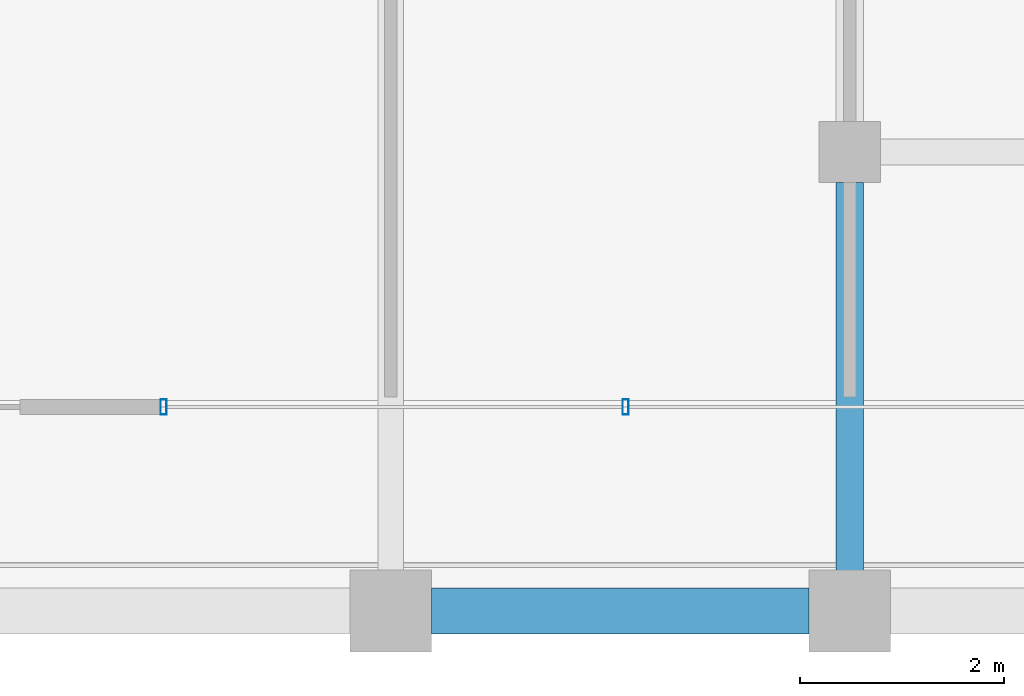
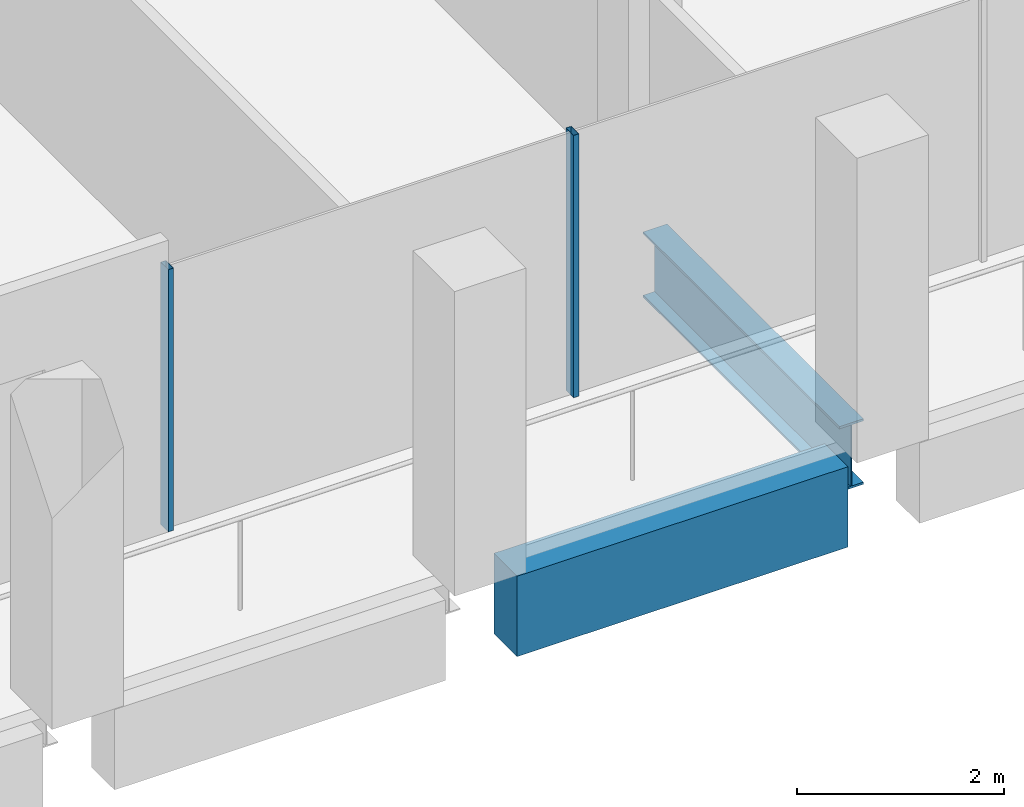
# One storey, part 9 of 40: 2 beams, 2 members, 1 element without a shape of its own.
"""IFC4 building model written with IfcOpenShell, lengths in metres."""

from ifc_helpers import new_model, si_unit, direction, frame, origin, origin_2d, place, context, subcontext, project, spatial, rectangle, hollow_rectangle, i_section, extrude, material, material_profile, profile_set, type_object, element, aggregate, save


model = new_model("IFC4")

# Units and contexts
model_context = context("Model", 3, precision=1e-05, world=origin(), true_north=direction((0.0, 1.0)))
body_context = subcontext(model_context, "Body", "Model", "MODEL_VIEW")
ifc_project = project(units=[si_unit("LENGTHUNIT", "METRE"), si_unit("AREAUNIT", "SQUARE_METRE"), si_unit("VOLUMEUNIT", "CUBIC_METRE"), si_unit("PLANEANGLEUNIT", "RADIAN"), si_unit("MASSUNIT", "GRAM", prefix="KILO")], contexts=[model_context])

# Site, building, storey
site_placement = place(None, origin())
site = spatial("IfcSite", under=ifc_project, at=site_placement, CompositionType="ELEMENT")
building_placement = place(site_placement, origin())
building = spatial("IfcBuilding", under=site, at=building_placement, Name="Altepetl Exchange Towers", CompositionType="ELEMENT")
storey_placement = place(building_placement, frame((0.0, 0.0, 202.800048828125)))
storey = spatial("IfcBuildingStorey", under=building, at=storey_placement, Name="L51", CompositionType="ELEMENT", Elevation=202.800048828125)

# Beam
ifc_material_1 = material(Name="Steel S355", Category="steel")
ifc_material_profile_1 = material_profile(ifc_material_1, i_section(OverallWidth=0.26806640625, OverallDepth=0.77392578125, WebThickness=0.015380859375, FlangeThickness=0.025390625, at=origin_2d()), Name="W30X132")
ifc_profile_set_1 = profile_set([ifc_material_profile_1], Name="Steel S355")
beam_type_1 = type_object("IfcBeamType", Name="Girder W30X132", PredefinedType="BEAM", material=ifc_profile_set_1)
beam_1_placement = place(storey_placement, frame((58.5, 31.199951171875, -0.537109375), z_axis=(0.0, -1.0, 0.0), x_axis=(1.0, 0.0, 0.0)))
element("IfcBeam", 1, at=beam_1_placement, inside=storey, type_object=beam_type_1, Name="gd:A:L51:005", PredefinedType="BEAM", context=body_context, shape_type="SweptSolid", body=[
    extrude(i_section(OverallWidth=0.26806640625, OverallDepth=0.77392578125, WebThickness=0.015380859375, FlangeThickness=0.025390625, at=origin_2d()), origin(), (0.0, 0.0, 1.0), 3.800048828125),
])

# Curtain wall, members
ifc_material_2 = material(Name="Aluminium 6063-T6 glazing", Category="aluminium")
curtain_wall_type = type_object("IfcCurtainWallType", Name="Loggia glazing system", PredefinedType="NOTDEFINED", material=ifc_material_2)
curtain_wall_placement = place(storey_placement, origin())
curtain_wall = element("IfcCurtainWall", 2, at=curtain_wall_placement, inside=storey, type_object=curtain_wall_type, Name="CW1 run", PredefinedType="NOTDEFINED")
ifc_material_3 = material(Name="Aluminium 6063-T6", Category="aluminium")
ifc_material_profile_2 = material_profile(ifc_material_3, hollow_rectangle(XDim=0.06005859375, YDim=0.14990234375, WallThickness=0.0029296875, at=origin_2d()), Name="Mullion 60x150 aluminium")
ifc_profile_set_2 = profile_set([ifc_material_profile_2], Name="Aluminium 6063-T6")
member_type = type_object("IfcMemberType", Name="Mullion 60x150 aluminium", PredefinedType="MULLION", material=ifc_profile_set_2)
member_1_placement = place(storey_placement, frame((51.77294921875, 29.0, 0.0)))
member_1 = element("IfcMember", 3, at=member_1_placement, type_object=member_type, Name="MU1 mullion", PredefinedType="MULLION", context=body_context, shape_type="SweptSolid", body=[
    extrude(hollow_rectangle(XDim=0.06005859375, YDim=0.14990234375, WallThickness=0.0029296875, at=origin_2d()), origin(), (0.0, 0.0, 1.0), 3.099853515625),
])
member_2_placement = place(storey_placement, frame((56.303466796875, 29.0, 0.0)))
member_2 = element("IfcMember", 4, at=member_2_placement, type_object=member_type, Name="MU1 mullion", PredefinedType="MULLION", context=body_context, shape_type="SweptSolid", body=[
    extrude(hollow_rectangle(XDim=0.06005859375, YDim=0.14990234375, WallThickness=0.0029296875, at=origin_2d()), origin(), (0.0, 0.0, 1.0), 3.099853515625),
])
aggregate(curtain_wall, [member_1, member_2])

# Beam
ifc_material_4 = material(Name="Concrete C50/60 precast with cantera blanca facing", Category="concrete")
ifc_material_profile_3 = material_profile(ifc_material_4, rectangle(XDim=0.449951171875, YDim=0.949951171875, at=origin_2d()), Name="450 x 950")
ifc_profile_set_3 = profile_set([ifc_material_profile_3], Name="Concrete C50/60 precast with cantera blanca facing")
beam_type_2 = type_object("IfcBeamType", Name="Spandrel beam 450x950 cantera blanca", PredefinedType="SPANDREL", material=ifc_profile_set_3)
beam_2_placement = place(storey_placement, frame((54.39990234375, 27.0, -0.625), z_axis=(1.0, 0.0, 0.0), x_axis=(0.0, 1.0, 0.0)))
element("IfcBeam", 5, at=beam_2_placement, inside=storey, type_object=beam_type_2, Name="sp:A:L51:005", PredefinedType="SPANDREL", context=body_context, shape_type="SweptSolid", body=[
    extrude(rectangle(XDim=0.449951171875, YDim=0.949951171875, at=origin_2d()), origin(), (0.0, 0.0, 1.0), 3.7001953125),
])

save(model, "model.ifc")
